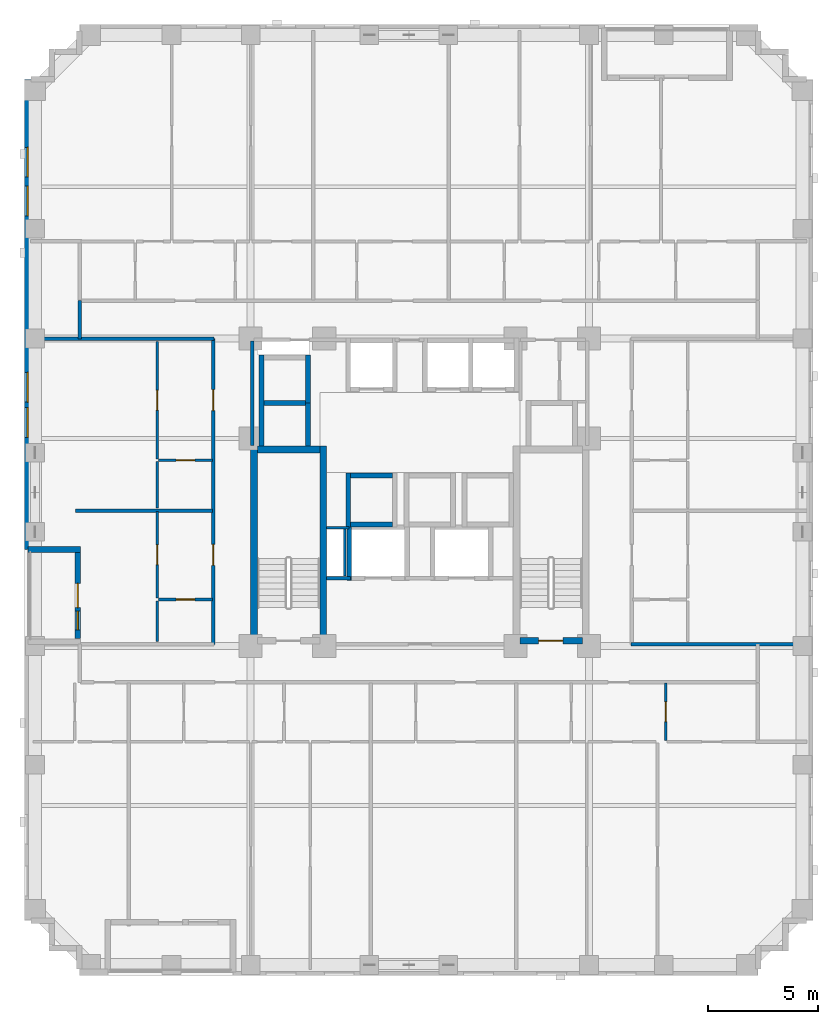
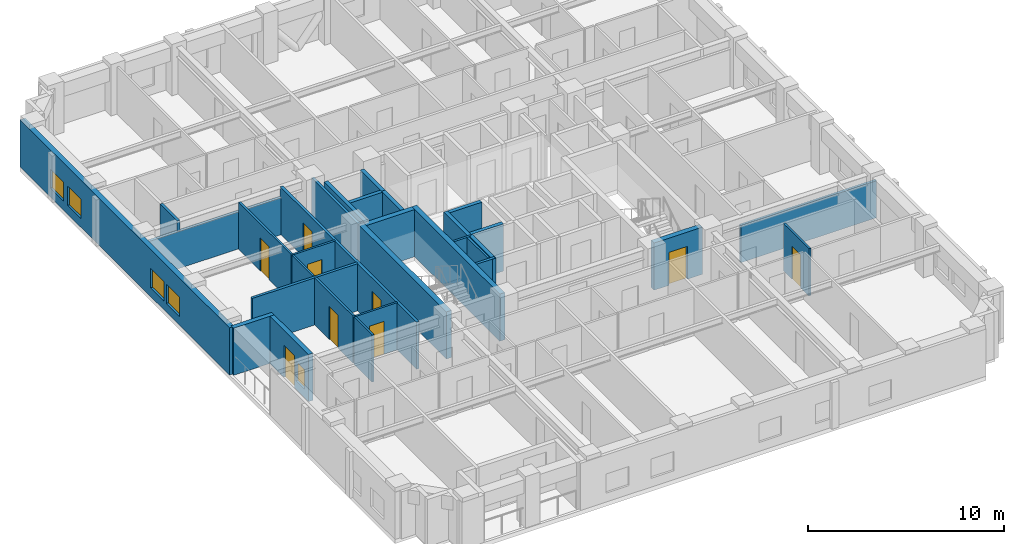
# One storey, part 4 of 12: 31 walls, 9 doors, 5 windows, 14 openings.
"""IFC4 building model written with IfcOpenShell, lengths in metres."""

from ifc_helpers import new_model, si_unit, derived_unit, direction, frame, frame_2d, origin, place, context, subcontext, project, spatial, rectangle, extrude, material, layer, layer_set, type_object, element, fill, save


model = new_model("IFC4")

# Units and contexts
model_context = context("Model", 3, precision=1e-05, world=origin(), true_north=direction((0.0, 1.0)))
body_context = subcontext(model_context, "Body", "Model", "MODEL_VIEW")
ifc_project = project(units=[si_unit("LENGTHUNIT", "METRE"), si_unit("AREAUNIT", "SQUARE_METRE"), si_unit("VOLUMEUNIT", "CUBIC_METRE"), si_unit("PLANEANGLEUNIT", "RADIAN"), si_unit("MASSUNIT", "GRAM", prefix="KILO"), derived_unit("THERMALTRANSMITTANCEUNIT", [(si_unit("MASSUNIT", "GRAM", prefix="KILO"), 1), (si_unit("TIMEUNIT", "SECOND"), -3), (si_unit("THERMODYNAMICTEMPERATUREUNIT", "KELVIN"), -1)])], contexts=[model_context])

# Site, building, storey
site_placement = place(None, origin())
site = spatial("IfcSite", under=ifc_project, at=site_placement, CompositionType="ELEMENT")
building_placement = place(site_placement, origin())
building = spatial("IfcBuilding", under=site, at=building_placement, Name="Korrvale Station Residences", CompositionType="ELEMENT")
storey_placement = place(building_placement, frame((0.0, 0.0, 91.10009765625)))
storey = spatial("IfcBuildingStorey", under=building, at=storey_placement, Name="L25", CompositionType="ELEMENT", Elevation=91.10009765625)

# Walls
ifc_material_1 = material(Name="Concrete C60/75", Category="concrete")
ifc_layer_1 = layer(ifc_material_1, 0.300048828125, Name="Concrete C60/75")
ifc_layer_set_1 = layer_set([ifc_layer_1], Name="Concrete C60/75")
wall_type_1 = type_object("IfcWallType", Name="WAL-CORE-300-C60", PredefinedType="SHEAR", material=ifc_layer_set_1)
for number, where, z_axis, x_axis, name in (
    (1, (17.949951171875, 15.10009765625, 0.0), (0.0, 0.0, 1.0), (0.0, 1.0, 0.0), "L25 ST-1 Core Shear Wall West"),
    (2, (21.10009765625, 15.10009765625, 0.0), (0.0, 0.0, 1.0), (0.0, 1.0, 0.0), "L25 ST-1 Core Shear Wall East"),
):
    element("IfcWall", number, at=place(storey_placement, frame(where, z_axis=z_axis, x_axis=x_axis)), inside=storey, type_object=wall_type_1, Name=name, PredefinedType="SHEAR", context=body_context, shape_type="SweptSolid", body=[
        extrude(rectangle(XDim=9.0, YDim=0.300048828125, at=frame_2d((4.5, 0.0))), origin(), (0.0, 0.0, 1.0), 2.93994140625),
    ])
wall_1_placement = place(storey_placement, frame((18.10009765625, 23.949951171875, 0.0), z_axis=(0.0, 0.0, 1.0), x_axis=(1.0, 0.0, 0.0)))
element("IfcWall", 3, at=wall_1_placement, inside=storey, type_object=wall_type_1, Name="L25 ST-1 Core Shear Wall North", PredefinedType="SHEAR", context=body_context, shape_type="SweptSolid", body=[
    extrude(rectangle(XDim=2.849853515625, YDim=0.300048828125, at=frame_2d((1.4248046875, 0.0))), origin(), (0.0, 0.0, 1.0), 2.93994140625),
])

# Wall, opening, door
wall_2_placement = place(storey_placement, frame((30.050048828125, 15.25, 0.0), z_axis=(0.0, 0.0, 1.0), x_axis=(1.0, 0.0, 0.0)))
wall_2 = element("IfcWall", 4, at=wall_2_placement, inside=storey, type_object=wall_type_1, Name="L25 ST-2 Core Shear Wall South", PredefinedType="SHEAR", context=body_context, shape_type="SweptSolid", body=[
    extrude(rectangle(XDim=2.849853515625, YDim=0.300048828125, at=frame_2d((1.4248046875, 0.0))), origin(), (0.0, 0.0, 1.0), 2.93994140625),
])
opening_1_placement = place(wall_2_placement, frame((0.860107421875, 0.0, 0.0)))
opening_1 = element("IfcOpeningElement", 5, at=opening_1_placement, cuts=wall_2, Name="Opening SD-1100", PredefinedType="OPENING", context=body_context, shape_type="SweptSolid", body=[
    extrude(rectangle(XDim=1.10009765625, YDim=2.050048828125, at=frame_2d((0.550048828125, 1.02490234375))), frame((0.0, 0.16015625, 0.0), z_axis=(0.0, -1.0, 0.0), x_axis=(1.0, 0.0, 0.0)), (0.0, 0.0, 1.0), 0.320068359375),
])
ifc_material_2 = material(Name="Hollow-metal fire-rated stair door with closer", Category="steel")
door_type_1 = type_object("IfcDoorType", Name="DR-STAIR-1100", OperationType="NOTDEFINED", PredefinedType="DOOR", material=ifc_material_2)
door_1_placement = place(opening_1_placement, origin())
door_1 = element("IfcDoor", 6, at=door_1_placement, inside=storey, type_object=door_type_1, Name="L25 ST-2 Exit Stair Door", OperationType="SINGLE_SWING_RIGHT", OverallHeight=2.050048828125, OverallWidth=1.10009765625, PredefinedType="DOOR", context=body_context, shape_type="SweptSolid", body=[
    extrude(rectangle(XDim=1.10009765625, YDim=2.050048828125, at=frame_2d((0.550048828125, 1.02490234375))), frame((0.0, 0.02490234375, 0.0), z_axis=(0.0, -1.0, 0.0), x_axis=(1.0, 0.0, 0.0)), (0.0, 0.0, 1.0), 0.050048828125),
])
fill(opening_1, door_1)

# Wall, openings, door, window
ifc_material_3 = material(Name="Precast concrete C45/55", Category="concrete")
ifc_layer_2 = layer(ifc_material_3, 0.260009765625, Name="Precast concrete C45/55")
ifc_layer_set_2 = layer_set([ifc_layer_2], Name="Precast concrete C45/55")
wall_type_2 = type_object("IfcWallType", Name="WAL-EXT-LOG260", PredefinedType="SOLIDWALL", material=ifc_layer_set_2)
wall_3_placement = place(storey_placement, frame((9.929931640625, 15.333984375, 0.0), z_axis=(0.0, 0.0, 1.0), x_axis=(0.0, 1.0, 0.0)))
wall_3 = element("IfcWall", 7, at=wall_3_placement, inside=storey, type_object=wall_type_2, Name="L25 Recessed Loggia Wall BAL-L25-W1-B", PredefinedType="SOLIDWALL", context=body_context, shape_type="SweptSolid", body=[
    extrude(rectangle(XDim=3.93212890625, YDim=0.260009765625, at=frame_2d((1.966064453125, 0.0))), origin(), (0.0, 0.0, 1.0), 2.93994140625),
])
opening_2_placement = place(wall_3_placement, frame((1.416015625, 0.0, 0.0)))
opening_2 = element("IfcOpeningElement", 8, at=opening_2_placement, cuts=wall_3, Name="Opening BD-01", PredefinedType="OPENING", context=body_context, shape_type="SweptSolid", body=[
    extrude(rectangle(XDim=1.10009765625, YDim=2.0, at=frame_2d((0.550048828125, 1.0))), frame((0.0, 0.14013671875, 0.0), z_axis=(0.0, -1.0, 0.0), x_axis=(1.0, 0.0, 0.0)), (0.0, 0.0, 1.0), 0.280029296875),
])
opening_3_placement = place(wall_3_placement, frame((0.406005859375, 0.0, 0.550048828125)))
opening_3 = element("IfcOpeningElement", 9, at=opening_3_placement, cuts=wall_3, Name="Opening W-11", PredefinedType="OPENING", context=body_context, shape_type="SweptSolid", body=[
    extrude(rectangle(XDim=0.85009765625, YDim=1.199951171875, at=frame_2d((0.425048828125, 0.60009765625))), frame((0.0, 0.14013671875, 0.0), z_axis=(0.0, -1.0, 0.0), x_axis=(1.0, 0.0, 0.0)), (0.0, 0.0, 1.0), 0.280029296875),
])
ifc_material_4 = material(Name="Exterior thermally broken aluminium glazed balcony door", Category="aluminium")
door_type_2 = type_object("IfcDoorType", Name="DR-EXT-BAL", OperationType="NOTDEFINED", PredefinedType="DOOR", material=ifc_material_4)
door_2_placement = place(opening_2_placement, origin())
door_2 = element("IfcDoor", 10, at=door_2_placement, inside=storey, type_object=door_type_2, Name="L25 Loggia Balcony Door BAL-L25-W1", OperationType="SINGLE_SWING_RIGHT", OverallHeight=2.0, OverallWidth=1.10009765625, PredefinedType="DOOR", context=body_context, shape_type="SweptSolid", body=[
    extrude(rectangle(XDim=1.10009765625, YDim=2.0, at=frame_2d((0.550048828125, 1.0))), frame((0.0, 0.02490234375, 0.0), z_axis=(0.0, -1.0, 0.0), x_axis=(1.0, 0.0, 0.0)), (0.0, 0.0, 1.0), 0.050048828125),
])
fill(opening_2, door_2)
ifc_material_5 = material(Name="Thermally broken aluminium frame with triple low-e glazing", Category="aluminium")
window_type_1 = type_object("IfcWindowType", Name="WIN-W11", PartitioningType="SINGLE_PANEL", PredefinedType="WINDOW", material=ifc_material_5)
window_1_placement = place(opening_3_placement, origin())
window_1 = element("IfcWindow", 11, at=window_1_placement, inside=storey, type_object=window_type_1, Name="L25 Punched Window 21", OverallHeight=1.199951171875, OverallWidth=0.85009765625, PartitioningType="SINGLE_PANEL", PredefinedType="WINDOW", context=body_context, shape_type="SweptSolid", body=[
    extrude(rectangle(XDim=0.85009765625, YDim=1.199951171875, at=frame_2d((0.425048828125, 0.60009765625))), frame((0.0, 0.030029296875, 0.0), z_axis=(0.0, -1.0, 0.0), x_axis=(1.0, 0.0, 0.0)), (0.0, 0.0, 1.0), 0.06005859375),
])
fill(opening_3, window_1)

# Wall
wall_4_placement = place(storey_placement, frame((10.06005859375, 19.39990234375, 0.0), z_axis=(0.0, 0.0, 1.0), x_axis=(-1.0, 0.0, 0.0)))
element("IfcWall", 12, at=wall_4_placement, inside=storey, type_object=wall_type_2, Name="L25 Recessed Loggia Wall BAL-L25-W1-R", PredefinedType="SOLIDWALL", context=body_context, shape_type="SweptSolid", body=[
    extrude(rectangle(XDim=2.400146484375, YDim=0.260009765625, at=frame_2d((1.2001953125, 0.0))), origin(), (0.0, 0.0, 1.0), 2.93994140625),
])

# Wall, openings, windows
ifc_layer_3 = layer(ifc_material_3, 0.300048828125, Name="Precast concrete C45/55")
ifc_layer_set_3 = layer_set([ifc_layer_3], Name="Precast concrete C45/55")
wall_type_3 = type_object("IfcWallType", Name="WAL-EXT-PC300", PredefinedType="SOLIDWALL", material=ifc_layer_set_3)
wall_5_placement = place(storey_placement, frame((7.64990234375, 19.39990234375, 0.0), z_axis=(0.0, 0.0, 1.0), x_axis=(0.0, 1.0, 0.0)))
wall_5 = element("IfcWall", 13, at=wall_5_placement, inside=storey, type_object=wall_type_3, Name="L25 West Exterior Precast Wall 2", PredefinedType="SOLIDWALL", context=body_context, shape_type="SweptSolid", body=[
    extrude(rectangle(XDim=21.400146484375, YDim=0.300048828125, at=frame_2d((10.7001953125, 0.0))), origin(), (0.0, 0.0, 1.0), 2.93994140625),
])
opening_4_placement = place(wall_5_placement, frame((16.95703125, 0.0, 0.550048828125)))
opening_4 = element("IfcOpeningElement", 14, at=opening_4_placement, cuts=wall_5, Name="Opening W-10", PredefinedType="OPENING", context=body_context, shape_type="SweptSolid", body=[
    extrude(rectangle(XDim=1.35009765625, YDim=1.199951171875, at=frame_2d((0.675048828125, 0.60009765625))), frame((0.0, 0.16015625, 0.0), z_axis=(0.0, -1.0, 0.0), x_axis=(1.0, 0.0, 0.0)), (0.0, 0.0, 1.0), 0.320068359375),
])
opening_5_placement = place(wall_5_placement, frame((15.18505859375, 0.0, 0.550048828125)))
opening_5 = element("IfcOpeningElement", 15, at=opening_5_placement, cuts=wall_5, Name="Opening W-10", PredefinedType="OPENING", context=body_context, shape_type="SweptSolid", body=[
    extrude(rectangle(XDim=1.35009765625, YDim=1.199951171875, at=frame_2d((0.675048828125, 0.60009765625))), frame((0.0, 0.16015625, 0.0), z_axis=(0.0, -1.0, 0.0), x_axis=(1.0, 0.0, 0.0)), (0.0, 0.0, 1.0), 0.320068359375),
])
opening_6_placement = place(wall_5_placement, frame((5.10009765625, 0.0, 0.550048828125)))
opening_6 = element("IfcOpeningElement", 16, at=opening_6_placement, cuts=wall_5, Name="Opening W-10", PredefinedType="OPENING", context=body_context, shape_type="SweptSolid", body=[
    extrude(rectangle(XDim=1.35009765625, YDim=1.199951171875, at=frame_2d((0.675048828125, 0.60009765625))), frame((0.0, 0.16015625, 0.0), z_axis=(0.0, -1.0, 0.0), x_axis=(1.0, 0.0, 0.0)), (0.0, 0.0, 1.0), 0.320068359375),
])
opening_7_placement = place(wall_5_placement, frame((6.7099609375, 0.0, 0.550048828125)))
opening_7 = element("IfcOpeningElement", 17, at=opening_7_placement, cuts=wall_5, Name="Opening W-10", PredefinedType="OPENING", context=body_context, shape_type="SweptSolid", body=[
    extrude(rectangle(XDim=1.35009765625, YDim=1.199951171875, at=frame_2d((0.675048828125, 0.60009765625))), frame((0.0, 0.16015625, 0.0), z_axis=(0.0, -1.0, 0.0), x_axis=(1.0, 0.0, 0.0)), (0.0, 0.0, 1.0), 0.320068359375),
])
window_type_2 = type_object("IfcWindowType", Name="WIN-W10", PartitioningType="SINGLE_PANEL", PredefinedType="WINDOW", material=ifc_material_5)
window_2_placement = place(opening_4_placement, origin())
window_2 = element("IfcWindow", 18, at=window_2_placement, inside=storey, type_object=window_type_2, Name="L25 Punched Window 11", OverallHeight=1.199951171875, OverallWidth=1.35009765625, PartitioningType="SINGLE_PANEL", PredefinedType="WINDOW", context=body_context, shape_type="SweptSolid", body=[
    extrude(rectangle(XDim=1.35009765625, YDim=1.199951171875, at=frame_2d((0.675048828125, 0.60009765625))), frame((0.0, 0.030029296875, 0.0), z_axis=(0.0, -1.0, 0.0), x_axis=(1.0, 0.0, 0.0)), (0.0, 0.0, 1.0), 0.06005859375),
])
fill(opening_4, window_2)
window_3_placement = place(opening_5_placement, origin())
window_3 = element("IfcWindow", 19, at=window_3_placement, inside=storey, type_object=window_type_2, Name="L25 Punched Window 12", OverallHeight=1.199951171875, OverallWidth=1.35009765625, PartitioningType="SINGLE_PANEL", PredefinedType="WINDOW", context=body_context, shape_type="SweptSolid", body=[
    extrude(rectangle(XDim=1.35009765625, YDim=1.199951171875, at=frame_2d((0.675048828125, 0.60009765625))), frame((0.0, 0.030029296875, 0.0), z_axis=(0.0, -1.0, 0.0), x_axis=(1.0, 0.0, 0.0)), (0.0, 0.0, 1.0), 0.06005859375),
])
fill(opening_5, window_3)
window_4_placement = place(opening_6_placement, origin())
window_4 = element("IfcWindow", 20, at=window_4_placement, inside=storey, type_object=window_type_2, Name="L25 Punched Window 22", OverallHeight=1.199951171875, OverallWidth=1.35009765625, PartitioningType="SINGLE_PANEL", PredefinedType="WINDOW", context=body_context, shape_type="SweptSolid", body=[
    extrude(rectangle(XDim=1.35009765625, YDim=1.199951171875, at=frame_2d((0.675048828125, 0.60009765625))), frame((0.0, 0.030029296875, 0.0), z_axis=(0.0, -1.0, 0.0), x_axis=(1.0, 0.0, 0.0)), (0.0, 0.0, 1.0), 0.06005859375),
])
fill(opening_6, window_4)
window_5_placement = place(opening_7_placement, origin())
window_5 = element("IfcWindow", 21, at=window_5_placement, inside=storey, type_object=window_type_2, Name="L25 Punched Window 23", OverallHeight=1.199951171875, OverallWidth=1.35009765625, PartitioningType="SINGLE_PANEL", PredefinedType="WINDOW", context=body_context, shape_type="SweptSolid", body=[
    extrude(rectangle(XDim=1.35009765625, YDim=1.199951171875, at=frame_2d((0.675048828125, 0.60009765625))), frame((0.0, 0.030029296875, 0.0), z_axis=(0.0, -1.0, 0.0), x_axis=(1.0, 0.0, 0.0)), (0.0, 0.0, 1.0), 0.06005859375),
])
fill(opening_7, window_5)

# Walls
ifc_material_6 = material(Name="Acoustic steel-stud gypsum board partition", Category="steel")
ifc_layer_4 = layer(ifc_material_6, 0.1201171875, Name="Acoustic steel-stud gypsum board partition")
ifc_layer_set_4 = layer_set([ifc_layer_4], Name="Acoustic steel-stud gypsum board partition")
wall_type_4 = type_object("IfcWallType", Name="WAL-PART-125", PredefinedType="PARTITIONING", material=ifc_layer_set_4)
wall_6_placement = place(storey_placement, frame((22.080078125, 18.199951171875, 0.0), z_axis=(0.0, 0.0, 1.0), x_axis=(0.0, 1.0, 0.0)))
element("IfcWall", 22, at=wall_6_placement, inside=storey, type_object=wall_type_4, Name="L25 Core Partition CW-RSWT", PredefinedType="PARTITIONING", context=body_context, shape_type="SweptSolid", body=[
    extrude(rectangle(XDim=2.1201171875, YDim=0.1201171875, at=frame_2d((1.06005859375, 0.0))), origin(), (0.0, 0.0, 1.0), 2.93994140625),
])
wall_7_placement = place(storey_placement, frame((22.280029296875, 20.3798828125, 0.0), z_axis=(0.0, 0.0, 1.0), x_axis=(-1.0, 0.0, 0.0)))
element("IfcWall", 23, at=wall_7_placement, inside=storey, type_object=wall_type_4, Name="L25 Core Partition CW-RSWT-N", PredefinedType="PARTITIONING", context=body_context, shape_type="SweptSolid", body=[
    extrude(rectangle(XDim=1.02001953125, YDim=0.1201171875, at=frame_2d((0.510009765625, 0.0))), origin(), (0.0, 0.0, 1.0), 2.93994140625),
])

# Wall, opening, door
wall_8_placement = place(storey_placement, frame((36.699951171875, 10.7099609375, 0.0), z_axis=(0.0, 0.0, 1.0), x_axis=(0.0, 1.0, 0.0)))
wall_8 = element("IfcWall", 24, at=wall_8_placement, inside=storey, type_object=wall_type_4, Name="L25 Suite Partition U04-V12", PredefinedType="PARTITIONING", context=body_context, shape_type="SweptSolid", body=[
    extrude(rectangle(XDim=2.60009765625, YDim=0.1201171875, at=frame_2d((1.300048828125, 0.0))), origin(), (0.0, 0.0, 1.0), 2.93994140625),
])
opening_8_placement = place(wall_8_placement, frame((0.85009765625, 0.0, 0.0)))
opening_8 = element("IfcOpeningElement", 25, at=opening_8_placement, cuts=wall_8, Name="Opening DI-900", PredefinedType="OPENING", context=body_context, shape_type="SweptSolid", body=[
    extrude(rectangle(XDim=0.89990234375, YDim=2.050048828125, at=frame_2d((0.449951171875, 1.02490234375))), frame((0.0, 0.070068359375, 0.0), z_axis=(0.0, -1.0, 0.0), x_axis=(1.0, 0.0, 0.0)), (0.0, 0.0, 1.0), 0.14013671875),
])
ifc_material_7 = material(Name="Painted solid-core timber interior room door", Category="wood")
door_type_3 = type_object("IfcDoorType", Name="DR-INT-900", OperationType="NOTDEFINED", PredefinedType="DOOR", material=ifc_material_7)
door_3_placement = place(opening_8_placement, origin())
door_3 = element("IfcDoor", 26, at=door_3_placement, inside=storey, type_object=door_type_3, Name="L25 Studio Apartment L25-U04 Kitchen Door", OperationType="SINGLE_SWING_RIGHT", OverallHeight=2.050048828125, OverallWidth=0.89990234375, PredefinedType="DOOR", context=body_context, shape_type="SweptSolid", body=[
    extrude(rectangle(XDim=0.89990234375, YDim=2.050048828125, at=frame_2d((0.449951171875, 1.02490234375))), frame((0.0, 0.02490234375, 0.0), z_axis=(0.0, -1.0, 0.0), x_axis=(1.0, 0.0, 0.0)), (0.0, 0.0, 1.0), 0.050048828125),
])
fill(opening_8, door_3)

wall_9_placement = place(storey_placement, frame((13.610107421875, 17.1201171875, 0.0), z_axis=(0.0, 0.0, 1.0), x_axis=(1.0, 0.0, 0.0)))
wall_9 = element("IfcWall", 27, at=wall_9_placement, inside=storey, type_object=wall_type_4, Name="L25 Suite Partition U08-H01", PredefinedType="PARTITIONING", context=body_context, shape_type="SweptSolid", body=[
    extrude(rectangle(XDim=2.449951171875, YDim=0.1201171875, at=frame_2d((1.22509765625, 0.0))), origin(), (0.0, 0.0, 1.0), 2.93994140625),
])
opening_9_placement = place(wall_9_placement, frame((0.794921875, 0.0, 0.0)))
opening_9 = element("IfcOpeningElement", 28, at=opening_9_placement, cuts=wall_9, Name="Opening DB-860", PredefinedType="OPENING", context=body_context, shape_type="SweptSolid", body=[
    extrude(rectangle(XDim=0.860107421875, YDim=2.050048828125, at=frame_2d((0.43017578125, 1.02490234375))), frame((0.0, 0.070068359375, 0.0), z_axis=(0.0, -1.0, 0.0), x_axis=(1.0, 0.0, 0.0)), (0.0, 0.0, 1.0), 0.14013671875),
])
ifc_material_8 = material(Name="Moisture-resistant solid-core bathroom door", Category="timber")
door_type_4 = type_object("IfcDoorType", Name="DR-BATH-860", OperationType="NOTDEFINED", PredefinedType="DOOR", material=ifc_material_8)
door_4_placement = place(opening_9_placement, origin())
door_4 = element("IfcDoor", 29, at=door_4_placement, inside=storey, type_object=door_type_4, Name="L25 Apartment 1BR L25-U08 Bathroom Door", OperationType="SINGLE_SWING_LEFT", OverallHeight=2.050048828125, OverallWidth=0.860107421875, PredefinedType="DOOR", context=body_context, shape_type="SweptSolid", body=[
    extrude(rectangle(XDim=0.860107421875, YDim=2.050048828125, at=frame_2d((0.43017578125, 1.02490234375))), frame((0.0, 0.02490234375, 0.0), z_axis=(0.0, -1.0, 0.0), x_axis=(1.0, 0.0, 0.0)), (0.0, 0.0, 1.0), 0.050048828125),
])
fill(opening_9, door_4)

# Wall
wall_10_placement = place(storey_placement, frame((13.550048828125, 15.2099609375, 0.0), z_axis=(0.0, 0.0, 1.0), x_axis=(0.0, 1.0, 0.0)))
element("IfcWall", 30, at=wall_10_placement, inside=storey, type_object=wall_type_4, Name="L25 Suite Partition U08-V02", PredefinedType="PARTITIONING", context=body_context, shape_type="SweptSolid", body=[
    extrude(rectangle(XDim=1.85009765625, YDim=0.1201171875, at=frame_2d((0.925048828125, 0.0))), origin(), (0.0, 0.0, 1.0), 2.93994140625),
])

# Wall, opening, door
wall_11_placement = place(storey_placement, frame((13.550048828125, 17.179931640625, 0.0), z_axis=(0.0, 0.0, 1.0), x_axis=(0.0, 1.0, 0.0)))
wall_11 = element("IfcWall", 31, at=wall_11_placement, inside=storey, type_object=wall_type_4, Name="L25 Suite Partition U08-V12", PredefinedType="PARTITIONING", context=body_context, shape_type="SweptSolid", body=[
    extrude(rectangle(XDim=3.946044921875, YDim=0.1201171875, at=frame_2d((1.97314453125, 0.0))), origin(), (0.0, 0.0, 1.0), 2.93994140625),
])
opening_10_placement = place(wall_11_placement, frame((1.52294921875, 0.0, 0.0)))
opening_10 = element("IfcOpeningElement", 32, at=opening_10_placement, cuts=wall_11, Name="Opening DI-900", PredefinedType="OPENING", context=body_context, shape_type="SweptSolid", body=[
    extrude(rectangle(XDim=0.89990234375, YDim=2.050048828125, at=frame_2d((0.449951171875, 1.02490234375))), frame((0.0, 0.070068359375, 0.0), z_axis=(0.0, -1.0, 0.0), x_axis=(1.0, 0.0, 0.0)), (0.0, 0.0, 1.0), 0.14013671875),
])
door_5_placement = place(opening_10_placement, origin())
door_5 = element("IfcDoor", 33, at=door_5_placement, inside=storey, type_object=door_type_3, Name="L25 Apartment 1BR L25-U08 Kitchen Door", OperationType="SINGLE_SWING_RIGHT", OverallHeight=2.050048828125, OverallWidth=0.89990234375, PredefinedType="DOOR", context=body_context, shape_type="SweptSolid", body=[
    extrude(rectangle(XDim=0.89990234375, YDim=2.050048828125, at=frame_2d((0.449951171875, 1.02490234375))), frame((0.0, 0.02490234375, 0.0), z_axis=(0.0, -1.0, 0.0), x_axis=(1.0, 0.0, 0.0)), (0.0, 0.0, 1.0), 0.050048828125),
])
fill(opening_10, door_5)

wall_12_placement = place(storey_placement, frame((13.610107421875, 23.467041015625, 0.0), z_axis=(0.0, 0.0, 1.0), x_axis=(1.0, 0.0, 0.0)))
wall_12 = element("IfcWall", 34, at=wall_12_placement, inside=storey, type_object=wall_type_4, Name="L25 Suite Partition U09-H01", PredefinedType="PARTITIONING", context=body_context, shape_type="SweptSolid", body=[
    extrude(rectangle(XDim=2.449951171875, YDim=0.1201171875, at=frame_2d((1.22509765625, 0.0))), origin(), (0.0, 0.0, 1.0), 2.93994140625),
])
opening_11_placement = place(wall_12_placement, frame((0.794921875, 0.0, 0.0)))
opening_11 = element("IfcOpeningElement", 35, at=opening_11_placement, cuts=wall_12, Name="Opening DB-860", PredefinedType="OPENING", context=body_context, shape_type="SweptSolid", body=[
    extrude(rectangle(XDim=0.860107421875, YDim=2.050048828125, at=frame_2d((0.43017578125, 1.02490234375))), frame((0.0, 0.070068359375, 0.0), z_axis=(0.0, -1.0, 0.0), x_axis=(1.0, 0.0, 0.0)), (0.0, 0.0, 1.0), 0.14013671875),
])
door_6_placement = place(opening_11_placement, origin())
door_6 = element("IfcDoor", 36, at=door_6_placement, inside=storey, type_object=door_type_4, Name="L25 Apartment 1BR L25-U09 Bathroom Door", OperationType="SINGLE_SWING_LEFT", OverallHeight=2.050048828125, OverallWidth=0.860107421875, PredefinedType="DOOR", context=body_context, shape_type="SweptSolid", body=[
    extrude(rectangle(XDim=0.860107421875, YDim=2.050048828125, at=frame_2d((0.43017578125, 1.02490234375))), frame((0.0, 0.02490234375, 0.0), z_axis=(0.0, -1.0, 0.0), x_axis=(1.0, 0.0, 0.0)), (0.0, 0.0, 1.0), 0.050048828125),
])
fill(opening_11, door_6)

# Wall
wall_13_placement = place(storey_placement, frame((13.550048828125, 21.285888671875, 0.0), z_axis=(0.0, 0.0, 1.0), x_axis=(0.0, 1.0, 0.0)))
element("IfcWall", 37, at=wall_13_placement, inside=storey, type_object=wall_type_4, Name="L25 Suite Partition U09-V02", PredefinedType="PARTITIONING", context=body_context, shape_type="SweptSolid", body=[
    extrude(rectangle(XDim=2.12109375, YDim=0.1201171875, at=frame_2d((1.060546875, 0.0))), origin(), (0.0, 0.0, 1.0), 2.93994140625),
])

# Wall, opening, door
wall_14_placement = place(storey_placement, frame((13.550048828125, 23.527099609375, 0.0), z_axis=(0.0, 0.0, 1.0), x_axis=(0.0, 1.0, 0.0)))
wall_14 = element("IfcWall", 38, at=wall_14_placement, inside=storey, type_object=wall_type_4, Name="L25 Suite Partition U09-V12", PredefinedType="PARTITIONING", context=body_context, shape_type="SweptSolid", body=[
    extrude(rectangle(XDim=5.3330078125, YDim=0.1201171875, at=frame_2d((2.66650390625, 0.0))), origin(), (0.0, 0.0, 1.0), 2.93994140625),
])
opening_12_placement = place(wall_14_placement, frame((2.216064453125, 0.0, 0.0)))
opening_12 = element("IfcOpeningElement", 39, at=opening_12_placement, cuts=wall_14, Name="Opening DI-900", PredefinedType="OPENING", context=body_context, shape_type="SweptSolid", body=[
    extrude(rectangle(XDim=0.89990234375, YDim=2.050048828125, at=frame_2d((0.449951171875, 1.02490234375))), frame((0.0, 0.070068359375, 0.0), z_axis=(0.0, -1.0, 0.0), x_axis=(1.0, 0.0, 0.0)), (0.0, 0.0, 1.0), 0.14013671875),
])
door_7_placement = place(opening_12_placement, origin())
door_7 = element("IfcDoor", 40, at=door_7_placement, inside=storey, type_object=door_type_3, Name="L25 Apartment 1BR L25-U09 Kitchen Door", OperationType="SINGLE_SWING_RIGHT", OverallHeight=2.050048828125, OverallWidth=0.89990234375, PredefinedType="DOOR", context=body_context, shape_type="SweptSolid", body=[
    extrude(rectangle(XDim=0.89990234375, YDim=2.050048828125, at=frame_2d((0.449951171875, 1.02490234375))), frame((0.0, 0.02490234375, 0.0), z_axis=(0.0, -1.0, 0.0), x_axis=(1.0, 0.0, 0.0)), (0.0, 0.0, 1.0), 0.050048828125),
])
fill(opening_12, door_7)

# Walls
ifc_material_9 = material(Name="Fire-rated twin-stud gypsum and mineral wool shaftwall assembly", Category="gypsum")
ifc_layer_5 = layer(ifc_material_9, 0.159912109375, Name="Fire-rated twin-stud gypsum and mineral wool shaftwall assembly")
ifc_layer_set_5 = layer_set([ifc_layer_5], Name="Fire-rated twin-stud gypsum and mineral wool shaftwall assembly")
wall_type_5 = type_object("IfcWallType", Name="WAL-PART-200", PredefinedType="PARTITIONING", material=ifc_layer_set_5)
wall_15_placement = place(storey_placement, frame((21.25, 18.080078125, 0.0), z_axis=(0.0, 0.0, 1.0), x_axis=(1.0, 0.0, 0.0)))
element("IfcWall", 41, at=wall_15_placement, inside=storey, type_object=wall_type_5, Name="L25 Core Partition CW-FFL-N1", PredefinedType="PARTITIONING", context=body_context, shape_type="SweptSolid", body=[
    extrude(rectangle(XDim=1.10009765625, YDim=0.159912109375, at=frame_2d((0.550048828125, 0.0))), origin(), (0.0, 0.0, 1.0), 2.93994140625),
])
wall_16_placement = place(storey_placement, frame((17.8798828125, 24.1201171875, 0.0), z_axis=(0.0, 0.0, 1.0), x_axis=(0.0, 1.0, 0.0)))
element("IfcWall", 42, at=wall_16_placement, inside=storey, type_object=wall_type_5, Name="L25 Core Partition CW-W-N", PredefinedType="PARTITIONING", context=body_context, shape_type="SweptSolid", body=[
    extrude(rectangle(XDim=4.759765625, YDim=0.159912109375, at=frame_2d((2.3798828125, 0.0))), origin(), (0.0, 0.0, 1.0), 2.93994140625),
])
wall_17_placement = place(storey_placement, frame((10.02001953125, 28.97998046875, 0.0), z_axis=(0.0, 0.0, 1.0), x_axis=(0.0, 1.0, 0.0)))
element("IfcWall", 43, at=wall_17_placement, inside=storey, type_object=wall_type_5, Name="L25 Corridor North West Cap", PredefinedType="PARTITIONING", context=body_context, shape_type="SweptSolid", body=[
    extrude(rectangle(XDim=1.739990234375, YDim=0.159912109375, at=frame_2d((0.8701171875, 0.0))), origin(), (0.0, 0.0, 1.0), 2.93994140625),
])
wall_18_placement = place(storey_placement, frame((7.780029296875, 28.97998046875, 0.0), z_axis=(0.0, 0.0, 1.0), x_axis=(1.0, 0.0, 0.0)))
element("IfcWall", 44, at=wall_18_placement, inside=storey, type_object=wall_type_5, Name="L25 West Wing North Corridor Wall", PredefinedType="PARTITIONING", context=body_context, shape_type="SweptSolid", body=[
    extrude(rectangle(XDim=8.35986328125, YDim=0.159912109375, at=frame_2d((4.179931640625, 0.0))), origin(), (0.0, 0.0, 1.0), 2.308837890625),
])
wall_19_placement = place(storey_placement, frame((35.110107421875, 15.090087890625, 0.0), z_axis=(0.0, 0.0, 1.0), x_axis=(1.0, 0.0, 0.0)))
element("IfcWall", 45, at=wall_19_placement, inside=storey, type_object=wall_type_5, Name="L25 East Wing South Corridor Wall", PredefinedType="PARTITIONING", context=body_context, shape_type="SweptSolid", body=[
    extrude(rectangle(XDim=8.010009765625, YDim=0.159912109375, at=frame_2d((4.0048828125, 0.0))), origin(), (0.0, 0.0, 1.0), 2.308837890625),
])
wall_20_placement = place(storey_placement, frame((9.820068359375, 21.166015625, 0.0), z_axis=(0.0, 0.0, 1.0), x_axis=(1.0, 0.0, 0.0)))
element("IfcWall", 46, at=wall_20_placement, inside=storey, type_object=wall_type_5, Name="L25 Demising Wall U08-N", PredefinedType="PARTITIONING", context=body_context, shape_type="SweptSolid", body=[
    extrude(rectangle(XDim=6.239990234375, YDim=0.159912109375, at=frame_2d((3.1201171875, 0.0))), origin(), (0.0, 0.0, 1.0), 2.93994140625),
])

# Wall, openings, doors
wall_21_placement = place(storey_placement, frame((16.10009765625, 15.070068359375, 0.0), z_axis=(0.0, 0.0, 1.0), x_axis=(0.0, 1.0, 0.0)))
wall_21 = element("IfcWall", 47, at=wall_21_placement, inside=storey, type_object=wall_type_5, Name="L25 Rated Corridor Wall W", PredefinedType="PARTITIONING", context=body_context, shape_type="SweptSolid", body=[
    extrude(rectangle(XDim=13.929931640625, YDim=0.159912109375, at=frame_2d((6.96484375, 0.0))), origin(), (0.0, 0.0, 1.0), 2.93994140625),
])
opening_13_placement = place(wall_21_placement, frame((3.60791015625, 0.0, 0.0)))
opening_13 = element("IfcOpeningElement", 48, at=opening_13_placement, cuts=wall_21, Name="Opening UD-950", PredefinedType="OPENING", context=body_context, shape_type="SweptSolid", body=[
    extrude(rectangle(XDim=0.949951171875, YDim=2.10009765625, at=frame_2d((0.47509765625, 1.050048828125))), frame((0.0, 0.08984375, 0.0), z_axis=(0.0, -1.0, 0.0), x_axis=(1.0, 0.0, 0.0)), (0.0, 0.0, 1.0), 0.179931640625),
])
opening_14_placement = place(wall_21_placement, frame((10.64892578125, 0.0, 0.0)))
opening_14 = element("IfcOpeningElement", 49, at=opening_14_placement, cuts=wall_21, Name="Opening UD-950", PredefinedType="OPENING", context=body_context, shape_type="SweptSolid", body=[
    extrude(rectangle(XDim=0.949951171875, YDim=2.10009765625, at=frame_2d((0.47509765625, 1.050048828125))), frame((0.0, 0.08984375, 0.0), z_axis=(0.0, -1.0, 0.0), x_axis=(1.0, 0.0, 0.0)), (0.0, 0.0, 1.0), 0.179931640625),
])
ifc_material_10 = material(Name="Solid-core acoustic oak apartment entrance door", Category="timber")
door_type_5 = type_object("IfcDoorType", Name="DR-UNIT-950", OperationType="NOTDEFINED", PredefinedType="DOOR", material=ifc_material_10)
door_8_placement = place(opening_13_placement, origin())
door_8 = element("IfcDoor", 50, at=door_8_placement, inside=storey, type_object=door_type_5, Name="L25 Apartment L25-U08 Entrance Door", OperationType="SINGLE_SWING_RIGHT", OverallHeight=2.10009765625, OverallWidth=0.949951171875, PredefinedType="DOOR", context=body_context, shape_type="SweptSolid", body=[
    extrude(rectangle(XDim=0.949951171875, YDim=2.10009765625, at=frame_2d((0.47509765625, 1.050048828125))), frame((0.0, 0.02490234375, 0.0), z_axis=(0.0, -1.0, 0.0), x_axis=(1.0, 0.0, 0.0)), (0.0, 0.0, 1.0), 0.050048828125),
])
fill(opening_13, door_8)
door_9_placement = place(opening_14_placement, origin())
door_9 = element("IfcDoor", 51, at=door_9_placement, inside=storey, type_object=door_type_5, Name="L25 Apartment L25-U09 Entrance Door", OperationType="SINGLE_SWING_LEFT", OverallHeight=2.10009765625, OverallWidth=0.949951171875, PredefinedType="DOOR", context=body_context, shape_type="SweptSolid", body=[
    extrude(rectangle(XDim=0.949951171875, YDim=2.10009765625, at=frame_2d((0.47509765625, 1.050048828125))), frame((0.0, 0.02490234375, 0.0), z_axis=(0.0, -1.0, 0.0), x_axis=(1.0, 0.0, 0.0)), (0.0, 0.0, 1.0), 0.050048828125),
])
fill(opening_14, door_9)

# Walls
ifc_layer_6 = layer(ifc_material_1, 0.219970703125, Name="Concrete C60/75")
ifc_layer_set_6 = layer_set([ifc_layer_6], Name="Concrete C60/75")
wall_type_6 = type_object("IfcWallType", Name="WAL-SHAFT-220-C60", PredefinedType="SHEAR", material=ifc_layer_set_6)
for number, where, z_axis, x_axis, name in (
    (52, (22.35009765625, 20.5400390625, 0.0), (0.0, 0.0, 1.0), (1.0, 0.0, 0.0), "L25 Elevator PM-1 Hoistway Wall South"),
    (53, (22.35009765625, 22.760009765625, 0.0), (0.0, 0.0, 1.0), (1.0, 0.0, 0.0), "L25 Elevator PM-1 Hoistway Wall North"),
):
    element("IfcWall", number, at=place(storey_placement, frame(where, z_axis=z_axis, x_axis=x_axis)), inside=storey, type_object=wall_type_6, Name=name, PredefinedType="SHEAR", context=body_context, shape_type="SweptSolid", body=[
        extrude(rectangle(XDim=1.89990234375, YDim=0.219970703125, at=frame_2d((0.949951171875, 0.0))), origin(), (0.0, 0.0, 1.0), 2.93994140625),
    ])
wall_22_placement = place(storey_placement, frame((22.239990234375, 20.429931640625, 0.0), z_axis=(0.0, 0.0, 1.0), x_axis=(0.0, 1.0, 0.0)))
element("IfcWall", 54, at=wall_22_placement, inside=storey, type_object=wall_type_6, Name="L25 Elevator PM-1 Hoistway Wall West", PredefinedType="SHEAR", context=body_context, shape_type="SweptSolid", body=[
    extrude(rectangle(XDim=2.440185546875, YDim=0.219970703125, at=frame_2d((1.22021484375, 0.0))), origin(), (0.0, 0.0, 1.0), 2.93994140625),
])
wall_23_placement = place(storey_placement, frame((18.2900390625, 24.10009765625, 0.0), z_axis=(0.0, 0.0, 1.0), x_axis=(0.0, 1.0, 0.0)))
element("IfcWall", 55, at=wall_23_placement, inside=storey, type_object=wall_type_6, Name="L25 Elevator PH-1 Hoistway Wall West", PredefinedType="SHEAR", context=body_context, shape_type="SweptSolid", body=[
    extrude(rectangle(XDim=4.139892578125, YDim=0.219970703125, at=frame_2d((2.06982421875, 0.0))), origin(), (0.0, 0.0, 1.0), 2.93994140625),
])
wall_24_placement = place(storey_placement, frame((20.409912109375, 24.10009765625, 0.0), z_axis=(0.0, 0.0, 1.0), x_axis=(0.0, 1.0, 0.0)))
element("IfcWall", 56, at=wall_24_placement, inside=storey, type_object=wall_type_6, Name="L25 Elevator PH-1 Hoistway Wall East", PredefinedType="SHEAR", context=body_context, shape_type="SweptSolid", body=[
    extrude(rectangle(XDim=1.9599609375, YDim=0.219970703125, at=frame_2d((0.97998046875, 0.0))), origin(), (0.0, 0.0, 1.0), 2.93994140625),
])
wall_25_placement = place(storey_placement, frame((18.39990234375, 26.06005859375, 0.0), z_axis=(0.0, 0.0, 1.0), x_axis=(1.0, 0.0, 0.0)))
element("IfcWall", 57, at=wall_25_placement, inside=storey, type_object=wall_type_6, Name="L25 Elevator PH-2 Hoistway Wall South", PredefinedType="SHEAR", context=body_context, shape_type="SweptSolid", body=[
    extrude(rectangle(XDim=1.900146484375, YDim=0.219970703125, at=frame_2d((0.9501953125, 0.0))), origin(), (0.0, 0.0, 1.0), 2.93994140625),
])
wall_26_placement = place(storey_placement, frame((20.409912109375, 26.06005859375, 0.0), z_axis=(0.0, 0.0, 1.0), x_axis=(0.0, 1.0, 0.0)))
element("IfcWall", 58, at=wall_26_placement, inside=storey, type_object=wall_type_6, Name="L25 Elevator PH-2 Hoistway Wall East", PredefinedType="SHEAR", context=body_context, shape_type="SweptSolid", body=[
    extrude(rectangle(XDim=2.179931640625, YDim=0.219970703125, at=frame_2d((1.08984375, 0.0))), origin(), (0.0, 0.0, 1.0), 2.93994140625),
])
wall_27_placement = place(storey_placement, frame((22.2900390625, 17.97998046875, 0.0), z_axis=(0.0, 0.0, 1.0), x_axis=(0.0, 1.0, 0.0)))
element("IfcWall", 59, at=wall_27_placement, inside=storey, type_object=wall_type_6, Name="L25 Elevator FFL-1 Hoistway Wall West", PredefinedType="SHEAR", context=body_context, shape_type="SweptSolid", body=[
    extrude(rectangle(XDim=2.5400390625, YDim=0.219970703125, at=frame_2d((1.27001953125, 0.0))), origin(), (0.0, 0.0, 1.0), 2.93994140625),
])

save(model, "model.ifc")
